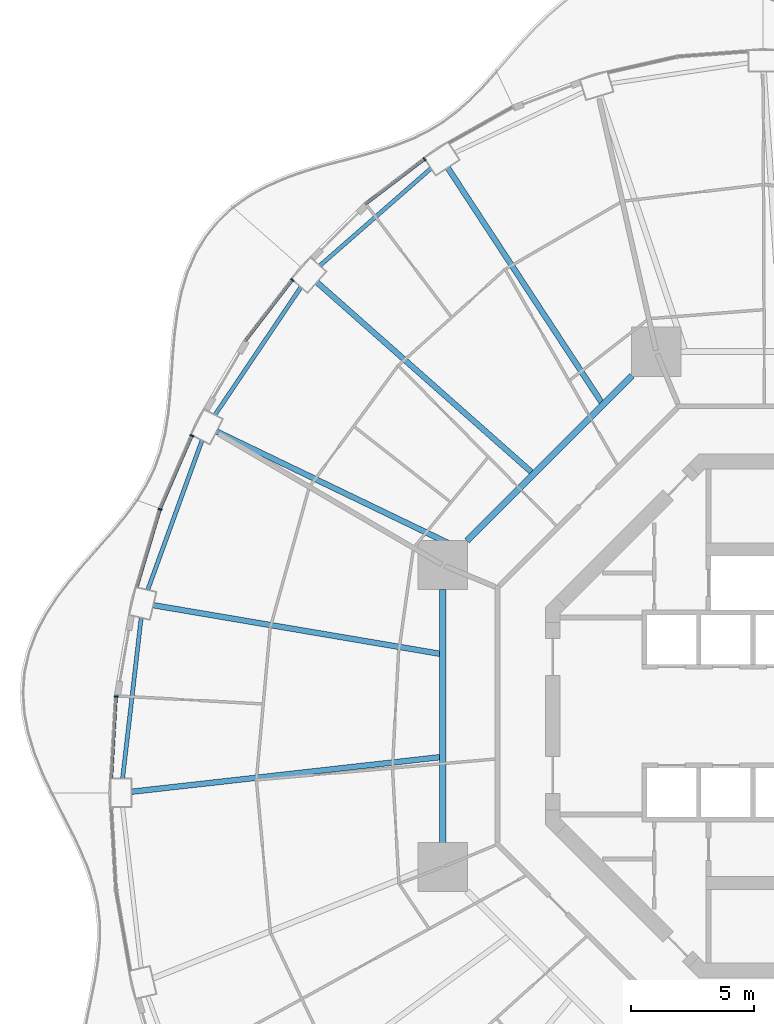
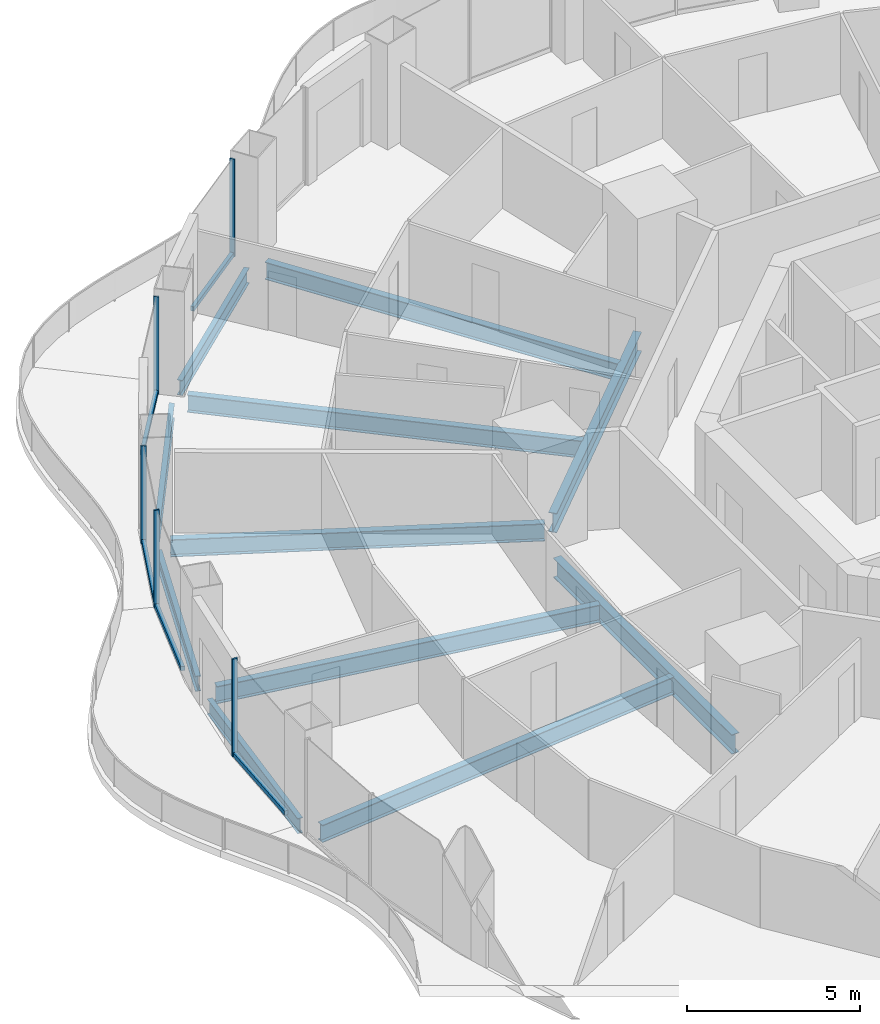
# One storey, part 6 of 20: 11 beams, 10 members, 5 elements without a shape of their own.
"""IFC4 building model written with IfcOpenShell, lengths in metres."""

from ifc_helpers import new_model, si_unit, direction, frame, origin, origin_2d, place, context, subcontext, project, spatial, rectangle, i_section, extrude, material, layer, layer_set, material_profile, profile_set, type_object, element, aggregate, save


model = new_model("IFC4")

# Units and contexts
model_context = context("Model", 3, precision=1e-05, world=origin(), true_north=direction((0.0, 1.0)))
body_context = subcontext(model_context, "Body", "Model", "MODEL_VIEW")
ifc_project = project(units=[si_unit("LENGTHUNIT", "METRE"), si_unit("AREAUNIT", "SQUARE_METRE"), si_unit("VOLUMEUNIT", "CUBIC_METRE"), si_unit("PLANEANGLEUNIT", "RADIAN"), si_unit("MASSUNIT", "GRAM", prefix="KILO")], contexts=[model_context])

# Site, building, storey
site_placement = place(None, origin())
site = spatial("IfcSite", under=ifc_project, at=site_placement, CompositionType="ELEMENT")
building_placement = place(site_placement, origin())
building = spatial("IfcBuilding", under=site, at=building_placement, Name="Nagisa Residences", CompositionType="ELEMENT")
storey_placement = place(building_placement, frame((0.0, 0.0, 130.699951171875)))
storey = spatial("IfcBuildingStorey", under=building, at=storey_placement, Name="L32", CompositionType="ELEMENT", Elevation=130.699951171875)

# Curtain wall, member
ifc_material_1 = material(Name="Concrete-coloured aluminium curtain wall system", Category="concrete")
ifc_layer = layer(ifc_material_1, 0.159912109375)
ifc_layer_set = layer_set([ifc_layer], Name="CW1 CURTAIN WALL")
curtain_wall_type = type_object("IfcCurtainWallType", Name="CW1 CURTAIN WALL", PredefinedType="NOTDEFINED", material=ifc_layer_set)
curtain_wall_1_placement = place(storey_placement, origin())
curtain_wall_1 = element("IfcCurtainWall", 1, at=curtain_wall_1_placement, inside=storey, type_object=curtain_wall_type, Name="cw:CW1:L32:16", PredefinedType="NOTDEFINED")
ifc_material_2 = material(Name="Concrete-coloured aluminium", Category="concrete")
ifc_material_profile_1 = material_profile(ifc_material_2, rectangle(XDim=0.159912109375, YDim=0.06005859375, at=origin_2d()), Name="CW1 MULLION 160x60")
ifc_profile_set_1 = profile_set([ifc_material_profile_1], Name="Concrete-coloured aluminium")
member_type_1 = type_object("IfcMemberType", Name="CW1 MULLION 160x60", PredefinedType="MULLION", material=ifc_profile_set_1)
member_1_placement = place(storey_placement, frame((-15.5205078125, 22.5869140625, 0.0), z_axis=(0.0, 0.0, 1.0), x_axis=(0.605255421737, -0.79603132756, 0.0)))
member_1 = element("IfcMember", 2, at=member_1_placement, type_object=member_type_1, Name="CW1 mullion", PredefinedType="MULLION", context=body_context, shape_type="SweptSolid", body=[
    extrude(rectangle(XDim=0.159912109375, YDim=0.06005859375, at=origin_2d()), origin(), (0.0, 0.0, 1.0), 3.43994140625),
])

curtain_wall_2_placement = place(storey_placement, origin())
curtain_wall_2 = element("IfcCurtainWall", 3, at=curtain_wall_2_placement, inside=storey, type_object=curtain_wall_type, Name="cw:CW1:L32:18", PredefinedType="NOTDEFINED")
member_2_placement = place(storey_placement, frame((-20.88427734375, 17.685546875, 0.0), z_axis=(0.0, 0.0, 1.0), x_axis=(0.792070340816, -0.610429828235, 0.0)))
member_2 = element("IfcMember", 4, at=member_2_placement, type_object=member_type_1, Name="CW1 mullion", PredefinedType="MULLION", context=body_context, shape_type="SweptSolid", body=[
    extrude(rectangle(XDim=0.159912109375, YDim=0.06005859375, at=origin_2d()), origin(), (0.0, 0.0, 1.0), 3.43994140625),
])

curtain_wall_3_placement = place(storey_placement, origin())
curtain_wall_3 = element("IfcCurtainWall", 5, at=curtain_wall_3_placement, inside=storey, type_object=curtain_wall_type, Name="cw:CW1:L32:20", PredefinedType="NOTDEFINED")
member_3_placement = place(storey_placement, frame((-24.95703125, 11.369873046875, 0.0), z_axis=(0.0, 0.0, 1.0), x_axis=(0.917543276295, -0.397635934147, 0.0)))
member_3 = element("IfcMember", 6, at=member_3_placement, type_object=member_type_1, Name="CW1 mullion", PredefinedType="MULLION", context=body_context, shape_type="SweptSolid", body=[
    extrude(rectangle(XDim=0.159912109375, YDim=0.06005859375, at=origin_2d()), origin(), (0.0, 0.0, 1.0), 3.43994140625),
])

curtain_wall_4_placement = place(storey_placement, origin())
curtain_wall_4 = element("IfcCurtainWall", 7, at=curtain_wall_4_placement, inside=storey, type_object=curtain_wall_type, Name="cw:CW1:L32:21", PredefinedType="NOTDEFINED")
member_4_placement = place(storey_placement, frame((-26.2470703125, 8.3857421875, 0.0), z_axis=(0.0, 0.0, 1.0), x_axis=(0.958271310082, -0.285860274038, 0.0)))
member_4 = element("IfcMember", 8, at=member_4_placement, type_object=member_type_1, Name="CW1 mullion", PredefinedType="MULLION", context=body_context, shape_type="SweptSolid", body=[
    extrude(rectangle(XDim=0.159912109375, YDim=0.06005859375, at=origin_2d()), origin(), (0.0, 0.0, 1.0), 3.43994140625),
])

curtain_wall_5_placement = place(storey_placement, origin())
curtain_wall_5 = element("IfcCurtainWall", 9, at=curtain_wall_5_placement, inside=storey, type_object=curtain_wall_type, Name="cw:CW1:L32:23", PredefinedType="NOTDEFINED")
member_5_placement = place(storey_placement, frame((-28.02978515625, 0.7890625, 0.0), z_axis=(0.0, 0.0, 1.0), x_axis=(0.998345305184, -0.057503492216, 0.0)))
member_5 = element("IfcMember", 10, at=member_5_placement, type_object=member_type_1, Name="CW1 mullion", PredefinedType="MULLION", context=body_context, shape_type="SweptSolid", body=[
    extrude(rectangle(XDim=0.159912109375, YDim=0.06005859375, at=origin_2d()), origin(), (0.0, 0.0, 1.0), 3.43994140625),
])

# Member
ifc_material_3 = material(Name="Concrete-coloured aluminium", Category="concrete")
ifc_material_profile_2 = material_profile(ifc_material_3, rectangle(XDim=0.1201171875, YDim=0.14990234375, at=origin_2d()), Name="CW1 TRANSOM 120x150")
ifc_profile_set_2 = profile_set([ifc_material_profile_2], Name="Concrete-coloured aluminium")
member_type_2 = type_object("IfcMemberType", Name="CW1 TRANSOM 120x150", PredefinedType="USERDEFINED", material=ifc_profile_set_2)
member_6_placement = place(storey_placement, frame((-15.49658203125, 22.605224609375, 0.074951171875), z_axis=(-0.796022231079, -0.605267385233, 0.0), x_axis=(0.605267385233, -0.796022231079, 0.0)))
member_6 = element("IfcMember", 11, at=member_6_placement, type_object=member_type_2, Name="CW1 transom", ObjectType="TRANSOM", PredefinedType="USERDEFINED", context=body_context, shape_type="SweptSolid", body=[
    extrude(rectangle(XDim=0.1201171875, YDim=0.14990234375, at=origin_2d()), origin(), (0.0, 0.0, 1.0), 3.025634765625),
])

aggregate(curtain_wall_1, [member_1, member_6])

member_7_placement = place(storey_placement, frame((-20.865966796875, 17.709228515625, 0.074951171875), z_axis=(-0.610467332273, -0.792041435928, 0.0), x_axis=(0.792041435928, -0.610467332273, 0.0)))
member_7 = element("IfcMember", 12, at=member_7_placement, type_object=member_type_2, Name="CW1 transom", ObjectType="TRANSOM", PredefinedType="USERDEFINED", context=body_context, shape_type="SweptSolid", body=[
    extrude(rectangle(XDim=0.1201171875, YDim=0.14990234375, at=origin_2d()), origin(), (0.0, 0.0, 1.0), 3.14892578125),
])

aggregate(curtain_wall_2, [member_2, member_7])

member_8_placement = place(storey_placement, frame((-24.945068359375, 11.3974609375, 0.074951171875), z_axis=(-0.397638954585, -0.917541967321, 0.0), x_axis=(0.917541967321, -0.397638954585, 0.0)))
member_8 = element("IfcMember", 13, at=member_8_placement, type_object=member_type_2, Name="CW1 transom", ObjectType="TRANSOM", PredefinedType="USERDEFINED", context=body_context, shape_type="SweptSolid", body=[
    extrude(rectangle(XDim=0.1201171875, YDim=0.14990234375, at=origin_2d()), origin(), (0.0, 0.0, 1.0), 3.2607421875),
])

aggregate(curtain_wall_3, [member_3, member_8])

member_9_placement = place(storey_placement, frame((-26.238525390625, 8.41455078125, 0.074951171875), z_axis=(-0.285842038783, -0.958276749621, 0.0), x_axis=(0.958276749621, -0.285842038783, 0.0)))
member_9 = element("IfcMember", 14, at=member_9_placement, type_object=member_type_2, Name="CW1 transom", ObjectType="TRANSOM", PredefinedType="USERDEFINED", context=body_context, shape_type="SweptSolid", body=[
    extrude(rectangle(XDim=0.1201171875, YDim=0.14990234375, at=origin_2d()), origin(), (0.0, 0.0, 1.0), 3.302734375),
])

aggregate(curtain_wall_4, [member_4, member_9])

member_10_placement = place(storey_placement, frame((-28.028076171875, 0.81884765625, 0.074951171875), z_axis=(-0.057542018726, -0.998343085357, 0.0), x_axis=(0.998343085357, -0.057542018726, 0.0)))
member_10 = element("IfcMember", 15, at=member_10_placement, type_object=member_type_2, Name="CW1 transom", ObjectType="TRANSOM", PredefinedType="USERDEFINED", context=body_context, shape_type="SweptSolid", body=[
    extrude(rectangle(XDim=0.1201171875, YDim=0.14990234375, at=origin_2d()), origin(), (0.0, 0.0, 1.0), 3.34765625),
])

aggregate(curtain_wall_5, [member_5, member_10])

# Beams
ifc_material_4 = material(Name="Steel ASTM A572 Gr 50", Category="steel")
ifc_material_profile_3 = material_profile(ifc_material_4, i_section(OverallWidth=0.25390625, OverallDepth=0.68408203125, WebThickness=0.012451171875, FlangeThickness=0.018798828125, at=origin_2d()), Name="W690x140")
ifc_profile_set_3 = profile_set([ifc_material_profile_3], Name="Steel ASTM A572 Gr 50")
beam_type_1 = type_object("IfcBeamType", Name="Inner ring beam W690x140", PredefinedType="BEAM", material=ifc_profile_set_3)
beam_1_placement = place(storey_placement, frame((-7.10888671875, 13.796142578125, -0.60205078125), z_axis=(-0.707106781187, -0.707106781187, 0.0), x_axis=(0.707106781187, -0.707106781187, 0.0)))
element("IfcBeam", 16, at=beam_1_placement, inside=storey, type_object=beam_type_1, Name="beam:L32:ib3", PredefinedType="BEAM", context=body_context, shape_type="SweptSolid", body=[
    extrude(i_section(OverallWidth=0.25390625, OverallDepth=0.68408203125, WebThickness=0.012451171875, FlangeThickness=0.018798828125, at=origin_2d()), origin(), (0.0, 0.0, 1.0), 9.457275390625),
])
beam_2_placement = place(storey_placement, frame((-14.781982421875, 5.142822265625, -0.60205078125), z_axis=(0.0, -1.0, 0.0), x_axis=(1.0, 0.0, 0.0)))
element("IfcBeam", 17, at=beam_2_placement, inside=storey, type_object=beam_type_1, Name="beam:L32:ib4", PredefinedType="BEAM", context=body_context, shape_type="SweptSolid", body=[
    extrude(i_section(OverallWidth=0.25390625, OverallDepth=0.68408203125, WebThickness=0.012451171875, FlangeThickness=0.018798828125, at=origin_2d()), origin(), (0.0, 0.0, 1.0), 10.28564453125),
])
ifc_material_5 = material(Name="Steel ASTM A572 Gr 50", Category="steel")
ifc_material_profile_4 = material_profile(ifc_material_5, i_section(OverallWidth=0.166015625, OverallDepth=0.534912109375, WebThickness=0.01025390625, FlangeThickness=0.0166015625, at=origin_2d()), Name="W530x85")
ifc_profile_set_4 = profile_set([ifc_material_profile_4], Name="Steel ASTM A572 Gr 50")
beam_type_2 = type_object("IfcBeamType", Name="Perimeter ring beam W530x85", PredefinedType="BEAM", material=ifc_profile_set_4)
beam_3_placement = place(storey_placement, frame((-15.25830078125, 22.213134765625, -0.52734375), z_axis=(-0.752503526528, -0.658588219272, 0.0), x_axis=(0.658588219272, -0.752503526528, 0.0)))
element("IfcBeam", 18, at=beam_3_placement, inside=storey, type_object=beam_type_2, Name="beam:L32:pb09", PredefinedType="BEAM", context=body_context, shape_type="SweptSolid", body=[
    extrude(i_section(OverallWidth=0.166015625, OverallDepth=0.534912109375, WebThickness=0.01025390625, FlangeThickness=0.0166015625, at=origin_2d()), origin(), (0.0, 0.0, 1.0), 5.99462890625),
])
beam_4_placement = place(storey_placement, frame((-20.5361328125, 17.39453125, -0.52734375), z_axis=(-0.558187951157, -0.82971453596, 0.0), x_axis=(0.82971453596, -0.558187951157, 0.0)))
element("IfcBeam", 19, at=beam_4_placement, inside=storey, type_object=beam_type_2, Name="beam:L32:pb10", PredefinedType="BEAM", context=body_context, shape_type="SweptSolid", body=[
    extrude(i_section(OverallWidth=0.166015625, OverallDepth=0.534912109375, WebThickness=0.01025390625, FlangeThickness=0.0166015625, at=origin_2d()), origin(), (0.0, 0.0, 1.0), 6.24267578125),
])
beam_5_placement = place(storey_placement, frame((-24.54638671875, 11.180419921875, -0.52734375), z_axis=(-0.341366238276, -0.939930365168, 0.0), x_axis=(0.939930365168, -0.341366238276, 0.0)))
element("IfcBeam", 20, at=beam_5_placement, inside=storey, type_object=beam_type_2, Name="beam:L32:pb11", PredefinedType="BEAM", context=body_context, shape_type="SweptSolid", body=[
    extrude(i_section(OverallWidth=0.166015625, OverallDepth=0.534912109375, WebThickness=0.01025390625, FlangeThickness=0.0166015625, at=origin_2d()), origin(), (0.0, 0.0, 1.0), 6.450927734375),
])
beam_6_placement = place(storey_placement, frame((-27.014892578125, 3.98779296875, -0.52734375), z_axis=(-0.114660786771, -0.993404703017, 0.0), x_axis=(0.993404703017, -0.114660786771, 0.0)))
element("IfcBeam", 21, at=beam_6_placement, inside=storey, type_object=beam_type_2, Name="beam:L32:pb12", PredefinedType="BEAM", context=body_context, shape_type="SweptSolid", body=[
    extrude(i_section(OverallWidth=0.166015625, OverallDepth=0.534912109375, WebThickness=0.01025390625, FlangeThickness=0.0166015625, at=origin_2d()), origin(), (0.0, 0.0, 1.0), 6.568603515625),
])
ifc_material_6 = material(Name="Steel ASTM A572 Gr 50", Category="steel")
ifc_material_profile_5 = material_profile(ifc_material_6, i_section(OverallWidth=0.22900390625, OverallDepth=0.612060546875, WebThickness=0.011962890625, FlangeThickness=0.01953125, at=origin_2d()), Name="W610x125")
ifc_profile_set_5 = profile_set([ifc_material_profile_5], Name="Steel ASTM A572 Gr 50")
beam_type_3 = type_object("IfcBeamType", Name="Radial beam W610x125", PredefinedType="BEAM", material=ifc_profile_set_5)
beam_7_placement = place(storey_placement, frame((-14.581787109375, 22.2392578125, -0.56591796875), z_axis=(0.548325250323, -0.836265161212, 0.0), x_axis=(0.836265161212, 0.548325250323, 0.0)))
element("IfcBeam", 22, at=beam_7_placement, inside=storey, type_object=beam_type_3, Name="beam:L32:rb09", PredefinedType="BEAM", context=body_context, shape_type="SweptSolid", body=[
    extrude(i_section(OverallWidth=0.22900390625, OverallDepth=0.612060546875, WebThickness=0.011962890625, FlangeThickness=0.01953125, at=origin_2d()), origin(), (0.0, 0.0, 1.0), 11.385498046875),
])
beam_8_placement = place(storey_placement, frame((-19.887451171875, 17.594970703125, -0.56591796875), z_axis=(0.7489549138, -0.662620960349, 0.0), x_axis=(0.662620960349, 0.7489549138, 0.0)))
element("IfcBeam", 23, at=beam_8_placement, inside=storey, type_object=beam_type_3, Name="beam:L32:rb10", PredefinedType="BEAM", context=body_context, shape_type="SweptSolid", body=[
    extrude(i_section(OverallWidth=0.22900390625, OverallDepth=0.612060546875, WebThickness=0.011962890625, FlangeThickness=0.01953125, at=origin_2d()), origin(), (0.0, 0.0, 1.0), 11.63671875),
])
beam_9_placement = place(storey_placement, frame((-23.95947265625, 11.543212890625, -0.56591796875), z_axis=(0.900896469051, -0.434034044808, 0.0), x_axis=(0.434034044808, 0.900896469051, 0.0)))
element("IfcBeam", 24, at=beam_9_placement, inside=storey, type_object=beam_type_3, Name="beam:L32:rb11", PredefinedType="BEAM", context=body_context, shape_type="SweptSolid", body=[
    extrude(i_section(OverallWidth=0.22900390625, OverallDepth=0.612060546875, WebThickness=0.011962890625, FlangeThickness=0.01953125, at=origin_2d()), origin(), (0.0, 0.0, 1.0), 10.820556640625),
])
beam_10_placement = place(storey_placement, frame((-26.52294921875, 4.495849609375, -0.56591796875), z_axis=(0.985936650852, -0.167119479737, 0.0), x_axis=(0.167119479737, 0.985936650852, 0.0)))
element("IfcBeam", 25, at=beam_10_placement, inside=storey, type_object=beam_type_3, Name="beam:L32:rb12", PredefinedType="BEAM", context=body_context, shape_type="SweptSolid", body=[
    extrude(i_section(OverallWidth=0.22900390625, OverallDepth=0.612060546875, WebThickness=0.011962890625, FlangeThickness=0.01953125, at=origin_2d()), origin(), (0.0, 0.0, 1.0), 11.799560546875),
])
beam_11_placement = place(storey_placement, frame((-27.40478515625, -3.069580078125, -0.56591796875), z_axis=(0.993785470482, 0.111312347291, 0.0), x_axis=(-0.111312347291, 0.993785470482, 0.0)))
element("IfcBeam", 26, at=beam_11_placement, inside=storey, type_object=beam_type_3, Name="beam:L32:rb13", PredefinedType="BEAM", context=body_context, shape_type="SweptSolid", body=[
    extrude(i_section(OverallWidth=0.22900390625, OverallDepth=0.612060546875, WebThickness=0.011962890625, FlangeThickness=0.01953125, at=origin_2d()), origin(), (0.0, 0.0, 1.0), 12.593994140625),
])

save(model, "model.ifc")
